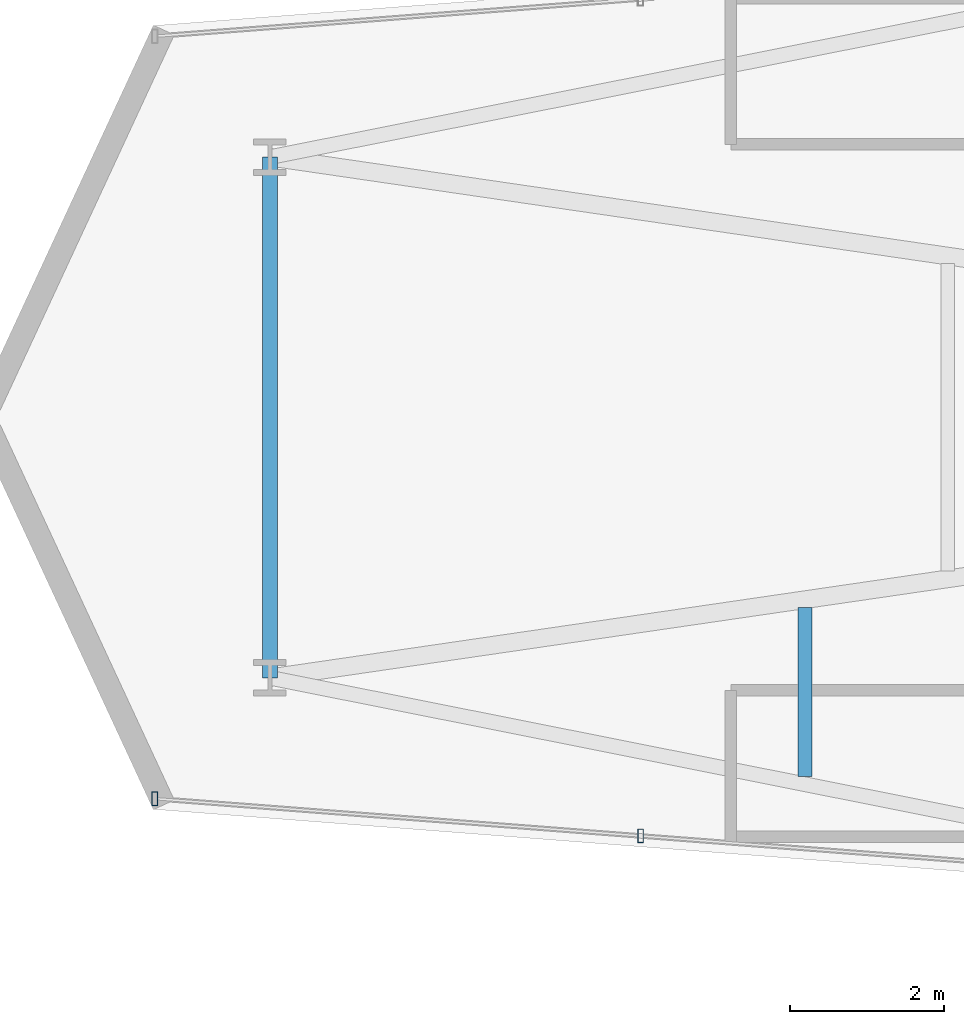
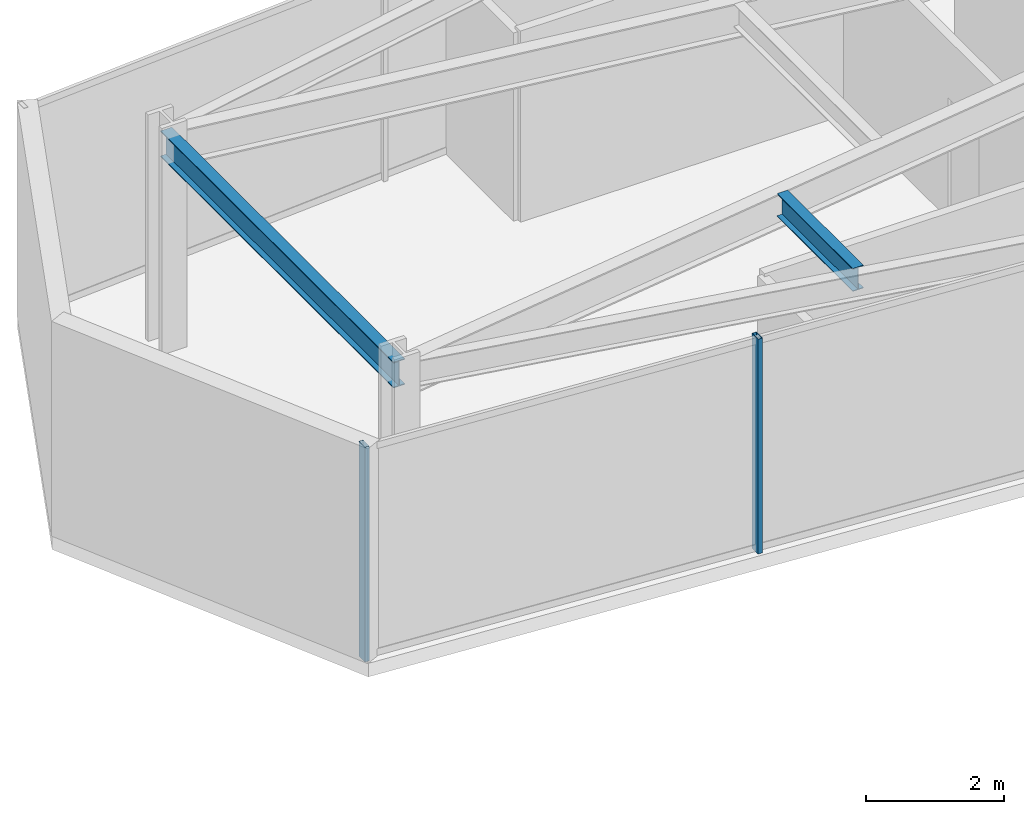
# One storey, part 6 of 29: 2 beams, 2 members, 1 element without a shape of its own.
"""IFC4 building model written with IfcOpenShell, lengths in metres."""

from ifc_helpers import new_model, si_unit, direction, frame, origin, origin_2d, place, context, subcontext, project, spatial, hollow_rectangle, i_section, extrude, material, layer, layer_set, material_profile, profile_set, type_object, element, aggregate, save


model = new_model("IFC4")

# Units and contexts
model_context = context("Model", 3, precision=1e-05, world=origin(), true_north=direction((0.0, 1.0)))
body_context = subcontext(model_context, "Body", "Model", "MODEL_VIEW")
ifc_project = project(units=[si_unit("LENGTHUNIT", "METRE"), si_unit("AREAUNIT", "SQUARE_METRE"), si_unit("VOLUMEUNIT", "CUBIC_METRE"), si_unit("PLANEANGLEUNIT", "RADIAN"), si_unit("MASSUNIT", "GRAM", prefix="KILO")], contexts=[model_context])

# Site, building, storey
site_placement = place(None, origin())
site = spatial("IfcSite", under=ifc_project, at=site_placement, CompositionType="ELEMENT")
building_placement = place(site_placement, origin())
building = spatial("IfcBuilding", under=site, at=building_placement, Name="Veymaron Broadcast Tower", CompositionType="ELEMENT")
storey_placement = place(building_placement, frame((0.0, 0.0, 41.85009765625)))
storey = spatial("IfcBuildingStorey", under=building, at=storey_placement, Name="L08", CompositionType="ELEMENT", Elevation=41.85009765625)

# Beams
ifc_material_1 = material(Name="Structural steel ASTM A992 Gr 50", Category="steel")
ifc_material_profile_1 = material_profile(ifc_material_1, i_section(OverallWidth=0.177978515625, OverallDepth=0.406982421875, WebThickness=0.0078125, FlangeThickness=0.0126953125, at=origin_2d()), Name="W410X60")
ifc_profile_set_1 = profile_set([ifc_material_profile_1], Name="Structural steel ASTM A992 Gr 50")
beam_type_1 = type_object("IfcBeamType", Name="BM-JS1", PredefinedType="JOIST", material=ifc_profile_set_1)
beam_1_placement = place(storey_placement, frame((14.96484375, 19.33056640625, 3.6064453125), z_axis=(0.0, 1.0, 0.0), x_axis=(-1.0, 0.0, 0.0)))
element("IfcBeam", 1, at=beam_1_placement, inside=storey, type_object=beam_type_1, Name="L08 Arm-A secondary joist 1S", PredefinedType="JOIST", context=body_context, shape_type="SweptSolid", body=[
    extrude(i_section(OverallWidth=0.177978515625, OverallDepth=0.406982421875, WebThickness=0.0078125, FlangeThickness=0.0126953125, at=origin_2d()), origin(), (0.0, 0.0, 1.0), 2.199951171875),
])
ifc_material_profile_2 = material_profile(ifc_material_1, i_section(OverallWidth=0.19091796875, OverallDepth=0.4599609375, WebThickness=0.010009765625, FlangeThickness=0.01611328125, at=origin_2d()), Name="W460X82")
ifc_profile_set_2 = profile_set([ifc_material_profile_2], Name="Structural steel ASTM A992 Gr 50")
beam_type_2 = type_object("IfcBeamType", Name="BM-SP1", PredefinedType="SPANDREL", material=ifc_profile_set_2)
beam_2_placement = place(storey_placement, frame((8.007080078125, 20.614990234375, 3.579833984375), z_axis=(0.0, 1.0, 0.0), x_axis=(-1.0, 0.0, 0.0)))
element("IfcBeam", 2, at=beam_2_placement, inside=storey, type_object=beam_type_2, Name="L08 primary structural floor girder", PredefinedType="SPANDREL", context=body_context, shape_type="SweptSolid", body=[
    extrude(i_section(OverallWidth=0.19091796875, OverallDepth=0.4599609375, WebThickness=0.010009765625, FlangeThickness=0.01611328125, at=origin_2d()), origin(), (0.0, 0.0, 1.0), 6.77001953125),
])

# Curtain wall, members
ifc_material_2 = material(Name="Anodised aluminium AA 6063-T6 and laminated low-E dark glass", Category="aluminium")
ifc_layer = layer(ifc_material_2, 0.179931640625)
ifc_layer_set = layer_set([ifc_layer], Name="Anodised aluminium AA 6063-T6 and laminated low-E dark glass")
curtain_wall_type = type_object("IfcCurtainWallType", Name="CW-SYS-02", PredefinedType="NOTDEFINED", material=ifc_layer_set)
curtain_wall_placement = place(storey_placement, origin())
curtain_wall = element("IfcCurtainWall", 3, at=curtain_wall_placement, inside=storey, type_object=curtain_wall_type, Name="L08 dark-glass curtain wall CW-L08-E14-1", PredefinedType="NOTDEFINED")
ifc_material_3 = material(Name="Anodised aluminium AA 6063-T6", Category="aluminium")
ifc_material_profile_3 = material_profile(ifc_material_3, hollow_rectangle(XDim=0.074951171875, YDim=0.179931640625, WallThickness=0.0048828125, at=origin_2d()), Name="AL180X75X5")
ifc_profile_set_3 = profile_set([ifc_material_profile_3], Name="Anodised aluminium AA 6063-T6")
member_type = type_object("IfcMemberType", Name="CW-MUL-02", PredefinedType="MULLION", material=ifc_profile_set_3)
member_1_placement = place(storey_placement, frame((6.5107421875, 19.04345703125, 0.0), z_axis=(0.0, 0.0, 1.0), x_axis=(1.0, 0.0, 0.0)))
member_1 = element("IfcMember", 4, at=member_1_placement, type_object=member_type, Name="CW-L08-E14-1 mullion 0", PredefinedType="MULLION", context=body_context, shape_type="SweptSolid", body=[
    extrude(hollow_rectangle(XDim=0.074951171875, YDim=0.179931640625, WallThickness=0.0048828125, at=origin_2d()), origin(), (0.0, 0.0, 1.0), 3.809814453125),
])
member_2_placement = place(storey_placement, frame((12.82666015625, 18.558349609375, 0.0), z_axis=(0.0, 0.0, 1.0), x_axis=(1.0, 0.0, 0.0)))
member_2 = element("IfcMember", 5, at=member_2_placement, type_object=member_type, Name="CW-L08-E14-1 mullion 1", PredefinedType="MULLION", context=body_context, shape_type="SweptSolid", body=[
    extrude(hollow_rectangle(XDim=0.074951171875, YDim=0.179931640625, WallThickness=0.0048828125, at=origin_2d()), origin(), (0.0, 0.0, 1.0), 3.809814453125),
])
aggregate(curtain_wall, [member_1, member_2])

save(model, "model.ifc")
